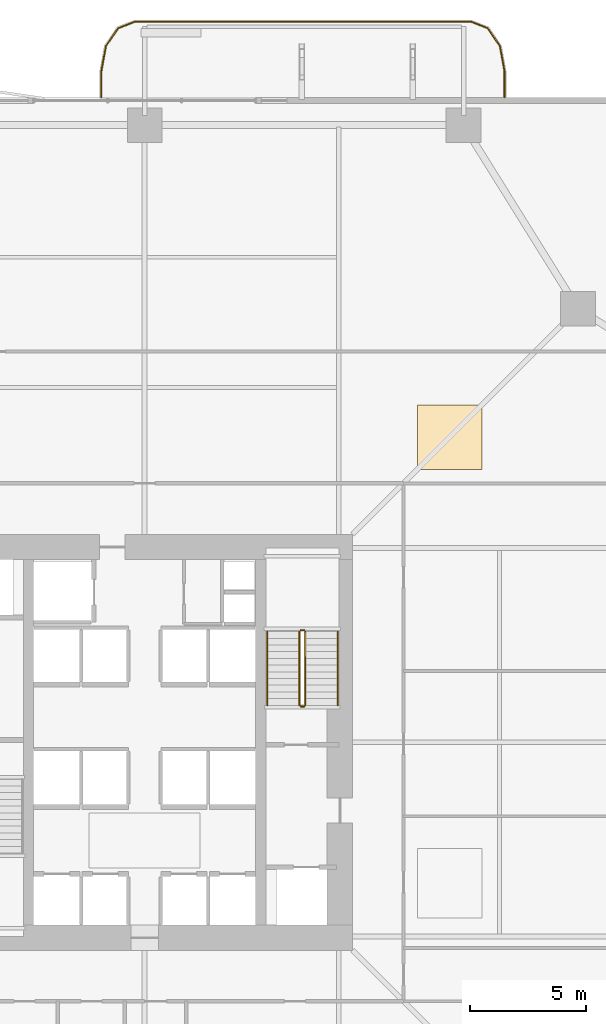
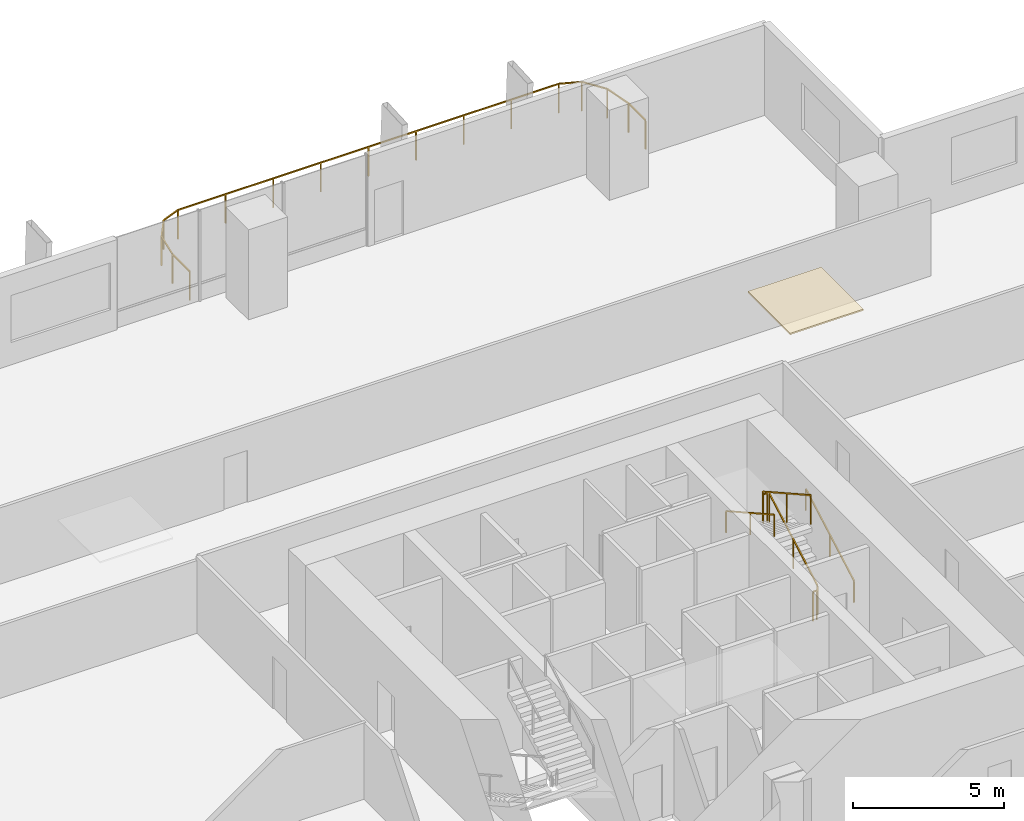
# One storey, part 23 of 23: 7 railings, 1 covering.
"""IFC4 building model written with IfcOpenShell, lengths in metres."""

from ifc_helpers import new_model, si_unit, direction, frame, origin, origin_2d, place, context, subcontext, project, spatial, polyline, rectangle, outline, extrude, material, layer, layer_set, type_object, element, save


model = new_model("IFC4")

# Units and contexts
model_context = context("Model", 3, precision=1e-05, world=origin(), true_north=direction((0.0, 1.0)))
body_context = subcontext(model_context, "Body", "Model", "MODEL_VIEW")
ifc_project = project(units=[si_unit("LENGTHUNIT", "METRE"), si_unit("AREAUNIT", "SQUARE_METRE"), si_unit("VOLUMEUNIT", "CUBIC_METRE"), si_unit("PLANEANGLEUNIT", "RADIAN"), si_unit("MASSUNIT", "GRAM", prefix="KILO")], contexts=[model_context])

# Site, building, storey
site_placement = place(None, origin())
site = spatial("IfcSite", under=ifc_project, at=site_placement, CompositionType="ELEMENT")
building_placement = place(site_placement, origin())
building = spatial("IfcBuilding", under=site, at=building_placement, Name="Belovzor Exchange Tower", CompositionType="ELEMENT")
storey_placement = place(building_placement, frame((0.0, 0.0, 65.10009765625)))
storey = spatial("IfcBuildingStorey", under=building, at=storey_placement, Name="L15", CompositionType="ELEMENT", Elevation=65.10009765625)

# Railings
ifc_material_1 = material(Name="Stainless Steel Grade 304", Category="steel")
railing_type_1 = type_object("IfcRailingType", Name="Brushed Stainless Steel Stair Handrail 900", PredefinedType="HANDRAIL", material=ifc_material_1)
railing_1_placement = place(storey_placement, frame((37.14990234375, 30.39990234375, 0.162353515625)))
element("IfcRailing", 1, at=railing_1_placement, inside=storey, type_object=railing_type_1, Name="L15 ST-2 stair handrail 1", PredefinedType="HANDRAIL", context=body_context, shape_type="SweptSolid", body=[
    extrude(rectangle(XDim=0.048095703125, YDim=0.048095703125, at=origin_2d()), frame((0.0, 0.0, 0.8759765625), z_axis=(0.0, 0.87237847985, 0.488831042279), x_axis=(-1.0, 0.0, 0.0)), (0.0, 0.0, 1.0), 3.656982421875),
    extrude(rectangle(XDim=0.0419921875, YDim=0.0419921875, at=origin_2d()), origin(), (0.0, 0.0, 1.0), 0.851806640625),
    extrude(rectangle(XDim=0.0419921875, YDim=0.0419921875, at=origin_2d()), frame((0.0, 1.59521484375, 0.893798828125)), (0.0, 0.0, 1.0), 0.851806640625),
    extrude(rectangle(XDim=0.0419921875, YDim=0.0419921875, at=origin_2d()), frame((0.0, 3.190185546875, 1.78759765625)), (0.0, 0.0, 1.0), 0.851806640625),
])
railing_2_placement = place(storey_placement, frame((34.10009765625, 33.590087890625, 2.1123046875)))
element("IfcRailing", 2, at=railing_2_placement, inside=storey, type_object=railing_type_1, Name="L15 ST-2 stair handrail 2", PredefinedType="HANDRAIL", context=body_context, shape_type="SweptSolid", body=[
    extrude(rectangle(XDim=0.048095703125, YDim=0.048095703125, at=origin_2d()), frame((0.0, 0.0, 0.8759765625), z_axis=(0.0, -0.87237847985, 0.488831042279), x_axis=(1.0, 0.0, 0.0)), (0.0, 0.0, 1.0), 3.656982421875),
    extrude(rectangle(XDim=0.0419921875, YDim=0.0419921875, at=origin_2d()), origin(), (0.0, 0.0, 1.0), 0.851806640625),
    extrude(rectangle(XDim=0.0419921875, YDim=0.0419921875, at=origin_2d()), frame((0.0, -1.59521484375, 0.893798828125)), (0.0, 0.0, 1.0), 0.851806640625),
    extrude(rectangle(XDim=0.0419921875, YDim=0.0419921875, at=origin_2d()), frame((0.0, -3.190185546875, 1.78759765625)), (0.0, 0.0, 1.0), 0.851806640625),
])
ifc_material_2 = material(Name="Stainless Steel and Laminated Safety Glass", Category="steel")
railing_type_2 = type_object("IfcRailingType", Name="Laminated Glass & Stainless Steel Balcony Balustrade 1200", PredefinedType="BALUSTRADE", material=ifc_material_2)
railing_3_placement = place(storey_placement, frame((44.3701171875, 56.7099609375, 0.0)))
element("IfcRailing", 3, at=railing_3_placement, inside=storey, type_object=railing_type_2, Name="GR-1 Balcony Balustrade L15 North", PredefinedType="BALUSTRADE", context=body_context, shape_type="SweptSolid", body=[
    extrude(rectangle(XDim=0.048095703125, YDim=0.048095703125, at=origin_2d()), frame((0.0, 0.0, 1.17578125), z_axis=(0.0, 1.0, 0.0), x_axis=(-1.0, 0.0, 0.0)), (0.0, 0.0, 1.0), 1.133056640625),
    extrude(rectangle(XDim=0.048095703125, YDim=0.048095703125, at=origin_2d()), frame((0.0, 1.133056640625, 1.17578125), z_axis=(-0.180122719713, 0.983644145941, 0.0), x_axis=(-0.983644145941, -0.180122719713, 0.0)), (0.0, 0.0, 1.0), 1.09375),
    extrude(rectangle(XDim=0.048095703125, YDim=0.048095703125, at=origin_2d()), frame((-0.197021484375, 2.208984375, 1.17578125), z_axis=(-0.56294695933, 0.826493025367, 0.0), x_axis=(-0.826493025367, -0.56294695933, 0.0)), (0.0, 0.0, 1.0), 0.932861328125),
    extrude(rectangle(XDim=0.048095703125, YDim=0.048095703125, at=origin_2d()), frame((-0.72216796875, 2.97998046875, 1.17578125), z_axis=(-0.930766990125, 0.365612923861, 0.0), x_axis=(-0.365612923861, -0.930766990125, 0.0)), (0.0, 0.0, 1.0), 0.765869140625),
    extrude(rectangle(XDim=0.048095703125, YDim=0.048095703125, at=origin_2d()), frame((-1.43505859375, 3.260009765625, 1.17578125), z_axis=(-1.0, 0.0, 0.0), x_axis=(0.0, -1.0, 0.0)), (0.0, 0.0, 1.0), 14.570068359375),
    extrude(rectangle(XDim=0.048095703125, YDim=0.048095703125, at=origin_2d()), frame((-16.005126953125, 3.260009765625, 1.17578125), z_axis=(-0.930766990125, -0.365612923861, 0.0), x_axis=(0.365612923861, -0.930766990125, 0.0)), (0.0, 0.0, 1.0), 0.765869140625),
    extrude(rectangle(XDim=0.048095703125, YDim=0.048095703125, at=origin_2d()), frame((-16.718017578125, 2.97998046875, 1.17578125), z_axis=(-0.56294695933, -0.826493025367, 0.0), x_axis=(0.826493025367, -0.56294695933, 0.0)), (0.0, 0.0, 1.0), 0.932861328125),
    extrude(rectangle(XDim=0.048095703125, YDim=0.048095703125, at=origin_2d()), frame((-17.2431640625, 2.208984375, 1.17578125), z_axis=(-0.180122719713, -0.983644145941, 0.0), x_axis=(0.983644145941, -0.180122719713, 0.0)), (0.0, 0.0, 1.0), 1.09375),
    extrude(rectangle(XDim=0.048095703125, YDim=0.048095703125, at=origin_2d()), frame((-17.440185546875, 1.133056640625, 1.17578125), z_axis=(0.0, -1.0, 0.0), x_axis=(1.0, 0.0, 0.0)), (0.0, 0.0, 1.0), 1.133056640625),
    extrude(rectangle(XDim=0.0419921875, YDim=0.0419921875, at=origin_2d()), origin(), (0.0, 0.0, 1.0), 1.15185546875),
    extrude(rectangle(XDim=0.0419921875, YDim=0.0419921875, at=origin_2d()), frame((0.0, 1.133056640625, 0.0)), (0.0, 0.0, 1.0), 1.15185546875),
    extrude(rectangle(XDim=0.0419921875, YDim=0.0419921875, at=origin_2d()), frame((-0.197021484375, 2.208984375, 0.0)), (0.0, 0.0, 1.0), 1.15185546875),
    extrude(rectangle(XDim=0.0419921875, YDim=0.0419921875, at=origin_2d()), frame((-0.72216796875, 2.97998046875, 0.0)), (0.0, 0.0, 1.0), 1.15185546875),
    extrude(rectangle(XDim=0.0419921875, YDim=0.0419921875, at=origin_2d()), frame((-1.43505859375, 3.260009765625, 0.0)), (0.0, 0.0, 1.0), 1.15185546875),
    extrude(rectangle(XDim=0.0419921875, YDim=0.0419921875, at=origin_2d()), frame((-3.25634765625, 3.260009765625, 0.0)), (0.0, 0.0, 1.0), 1.15185546875),
    extrude(rectangle(XDim=0.0419921875, YDim=0.0419921875, at=origin_2d()), frame((-5.07763671875, 3.260009765625, 0.0)), (0.0, 0.0, 1.0), 1.15185546875),
    extrude(rectangle(XDim=0.0419921875, YDim=0.0419921875, at=origin_2d()), frame((-6.89892578125, 3.260009765625, 0.0)), (0.0, 0.0, 1.0), 1.15185546875),
    extrude(rectangle(XDim=0.0419921875, YDim=0.0419921875, at=origin_2d()), frame((-8.72021484375, 3.260009765625, 0.0)), (0.0, 0.0, 1.0), 1.15185546875),
    extrude(rectangle(XDim=0.0419921875, YDim=0.0419921875, at=origin_2d()), frame((-10.541259765625, 3.260009765625, 0.0)), (0.0, 0.0, 1.0), 1.15185546875),
    extrude(rectangle(XDim=0.0419921875, YDim=0.0419921875, at=origin_2d()), frame((-12.362548828125, 3.260009765625, 0.0)), (0.0, 0.0, 1.0), 1.15185546875),
    extrude(rectangle(XDim=0.0419921875, YDim=0.0419921875, at=origin_2d()), frame((-14.183837890625, 3.260009765625, 0.0)), (0.0, 0.0, 1.0), 1.15185546875),
    extrude(rectangle(XDim=0.0419921875, YDim=0.0419921875, at=origin_2d()), frame((-16.005126953125, 3.260009765625, 0.0)), (0.0, 0.0, 1.0), 1.15185546875),
    extrude(rectangle(XDim=0.0419921875, YDim=0.0419921875, at=origin_2d()), frame((-16.718017578125, 2.97998046875, 0.0)), (0.0, 0.0, 1.0), 1.15185546875),
    extrude(rectangle(XDim=0.0419921875, YDim=0.0419921875, at=origin_2d()), frame((-17.2431640625, 2.208984375, 0.0)), (0.0, 0.0, 1.0), 1.15185546875),
    extrude(rectangle(XDim=0.0419921875, YDim=0.0419921875, at=origin_2d()), frame((-17.440185546875, 1.133056640625, 0.0)), (0.0, 0.0, 1.0), 1.15185546875),
    extrude(rectangle(XDim=0.0419921875, YDim=0.0419921875, at=origin_2d()), frame((-17.440185546875, 0.0, 0.0)), (0.0, 0.0, 1.0), 1.15185546875),
])
ifc_material_3 = material(Name="Steel S355", Category="steel")
railing_type_3 = type_object("IfcRailingType", Name="Painted Steel Stairwell Guardrail 1200", PredefinedType="GUARDRAIL", material=ifc_material_3)
railing_4_placement = place(storey_placement, frame((35.75, 30.39990234375, 0.162353515625)))
element("IfcRailing", 4, at=railing_4_placement, inside=storey, type_object=railing_type_3, Name="L15 ST-2 stair guard 1", PredefinedType="GUARDRAIL", context=body_context, shape_type="SweptSolid", body=[
    extrude(rectangle(XDim=0.048095703125, YDim=0.048095703125, at=origin_2d()), frame((0.0, 0.0, 1.17578125), z_axis=(0.0, 0.87237847985, 0.488831042279), x_axis=(-1.0, 0.0, 0.0)), (0.0, 0.0, 1.0), 3.656982421875),
    extrude(rectangle(XDim=0.0419921875, YDim=0.0419921875, at=origin_2d()), origin(), (0.0, 0.0, 1.0), 1.15185546875),
    extrude(rectangle(XDim=0.0419921875, YDim=0.0419921875, at=origin_2d()), frame((0.0, 1.59521484375, 0.893798828125)), (0.0, 0.0, 1.0), 1.15185546875),
    extrude(rectangle(XDim=0.0419921875, YDim=0.0419921875, at=origin_2d()), frame((0.0, 3.190185546875, 1.78759765625)), (0.0, 0.0, 1.0), 1.15185546875),
])
railing_5_placement = place(storey_placement, frame((35.699951171875, 33.639892578125, 1.949951171875)))
element("IfcRailing", 5, at=railing_5_placement, inside=storey, type_object=railing_type_3, Name="L15 ST-2 stair guard 2", PredefinedType="GUARDRAIL", context=body_context, shape_type="SweptSolid", body=[
    extrude(rectangle(XDim=0.048095703125, YDim=0.048095703125, at=origin_2d()), frame((0.0, 0.0, 1.17578125), z_axis=(-1.0, 0.0, 0.0), x_axis=(0.0, -1.0, 0.0)), (0.0, 0.0, 1.0), 0.14990234375),
    extrude(rectangle(XDim=0.0419921875, YDim=0.0419921875, at=origin_2d()), origin(), (0.0, 0.0, 1.0), 1.15185546875),
    extrude(rectangle(XDim=0.0419921875, YDim=0.0419921875, at=origin_2d()), frame((-0.14990234375, 0.0, 0.0)), (0.0, 0.0, 1.0), 1.15185546875),
])
railing_6_placement = place(storey_placement, frame((35.5, 33.590087890625, 2.1123046875)))
element("IfcRailing", 6, at=railing_6_placement, inside=storey, type_object=railing_type_3, Name="L15 ST-2 stair guard 3", PredefinedType="GUARDRAIL", context=body_context, shape_type="SweptSolid", body=[
    extrude(rectangle(XDim=0.048095703125, YDim=0.048095703125, at=origin_2d()), frame((0.0, 0.0, 1.17578125), z_axis=(0.0, -0.87237847985, 0.488831042279), x_axis=(1.0, 0.0, 0.0)), (0.0, 0.0, 1.0), 3.656982421875),
    extrude(rectangle(XDim=0.0419921875, YDim=0.0419921875, at=origin_2d()), origin(), (0.0, 0.0, 1.0), 1.15185546875),
    extrude(rectangle(XDim=0.0419921875, YDim=0.0419921875, at=origin_2d()), frame((0.0, -1.59521484375, 0.893798828125)), (0.0, 0.0, 1.0), 1.15185546875),
    extrude(rectangle(XDim=0.0419921875, YDim=0.0419921875, at=origin_2d()), frame((0.0, -3.190185546875, 1.78759765625)), (0.0, 0.0, 1.0), 1.15185546875),
])
railing_7_placement = place(storey_placement, frame((35.699951171875, 30.35009765625, 0.0)))
element("IfcRailing", 7, at=railing_7_placement, inside=storey, type_object=railing_type_3, Name="L15 ST-2 stair guard 4", PredefinedType="GUARDRAIL", context=body_context, shape_type="SweptSolid", body=[
    extrude(rectangle(XDim=0.048095703125, YDim=0.048095703125, at=origin_2d()), frame((0.0, 0.0, 1.17578125), z_axis=(-1.0, 0.0, 0.0), x_axis=(0.0, -1.0, 0.0)), (0.0, 0.0, 1.0), 0.14990234375),
    extrude(rectangle(XDim=0.0419921875, YDim=0.0419921875, at=origin_2d()), origin(), (0.0, 0.0, 1.0), 1.15185546875),
    extrude(rectangle(XDim=0.0419921875, YDim=0.0419921875, at=origin_2d()), frame((-0.14990234375, 0.0, 0.0)), (0.0, 0.0, 1.0), 1.15185546875),
])

# Covering
ifc_material_4 = material(Name="Perforated Powder-Coated Aluminium", Category="aluminium")
ifc_layer = layer(ifc_material_4, 0.06005859375)
ifc_layer_set = layer_set([ifc_layer], Name="Perforated Powder-Coated Aluminium")
covering_type = type_object("IfcCoveringType", Name="Perforated Acoustic Metal Tile Suspended Ceiling 60", PredefinedType="CEILING", material=ifc_layer_set)
covering_placement = place(storey_placement, frame((0.0, 0.0, 3.58984375)))
element("IfcCovering", 8, at=covering_placement, inside=storey, type_object=covering_type, Name="CLG-AC60 Suspended Ceiling CLG-L15-Z1", PredefinedType="CEILING", context=body_context, shape_type="SweptSolid", body=[
    extrude(outline(polyline([(40.60009765625, 40.60009765625), (43.39990234375, 40.60009765625), (43.39990234375, 43.39990234375), (40.60009765625, 43.39990234375), (40.60009765625, 40.60009765625)])), origin(), (0.0, 0.0, 1.0), 0.06005859375),
])

save(model, "model.ifc")
